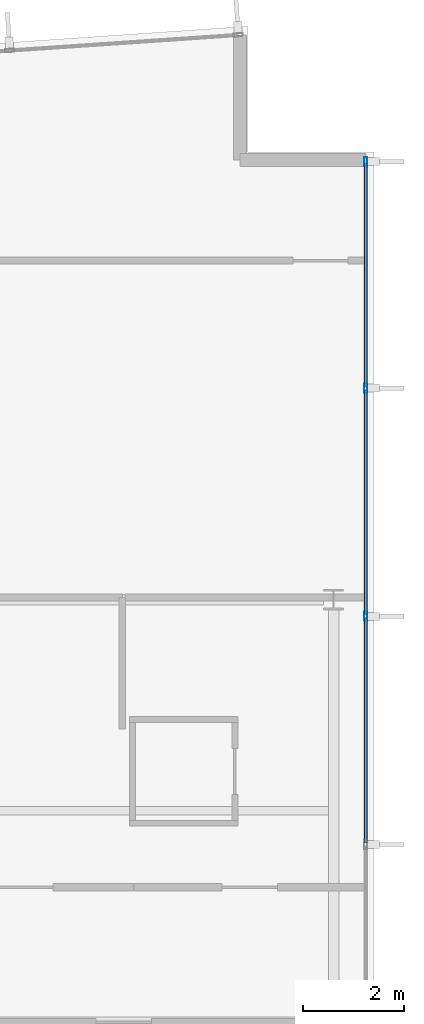
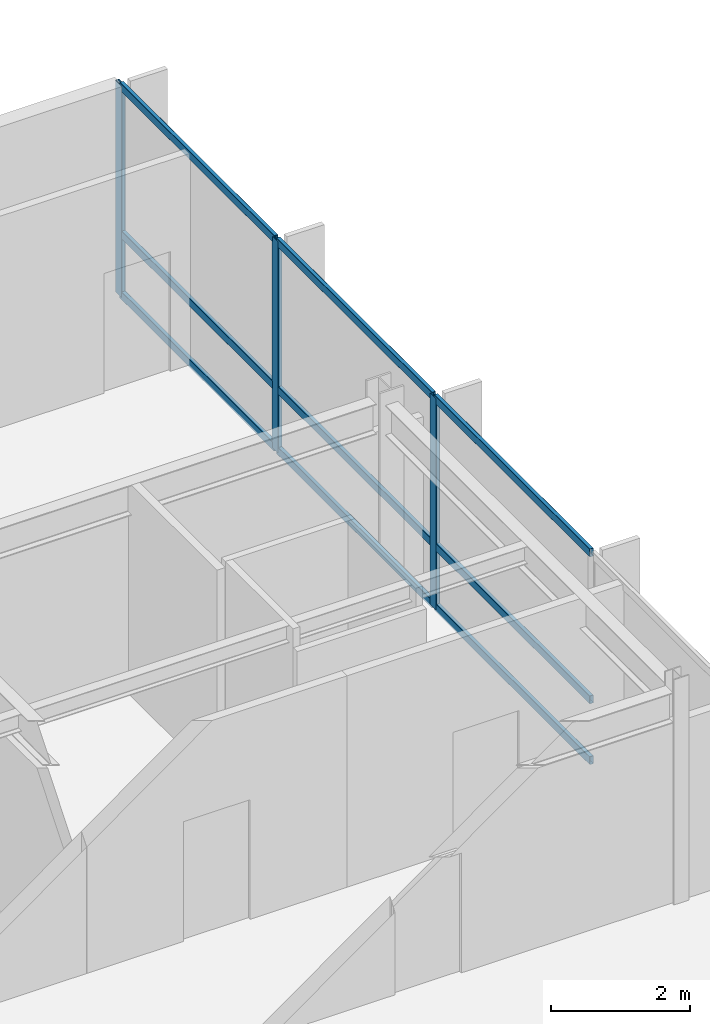
# One storey, part 8 of 17: 12 members, 1 element without a shape of its own.
"""IFC4 building model written with IfcOpenShell, lengths in metres."""

from ifc_helpers import new_model, si_unit, direction, frame, origin, origin_2d, place, context, subcontext, project, spatial, hollow_rectangle, extrude, material, layer, layer_set, material_profile, profile_set, type_object, element, aggregate, save


model = new_model("IFC4")

# Units and contexts
model_context = context("Model", 3, precision=1e-05, world=origin(), true_north=direction((0.0, 1.0)))
body_context = subcontext(model_context, "Body", "Model", "MODEL_VIEW")
ifc_project = project(units=[si_unit("LENGTHUNIT", "METRE"), si_unit("AREAUNIT", "SQUARE_METRE"), si_unit("VOLUMEUNIT", "CUBIC_METRE"), si_unit("PLANEANGLEUNIT", "RADIAN"), si_unit("MASSUNIT", "GRAM", prefix="KILO")], contexts=[model_context])

# Site, building, storey
site_placement = place(None, origin())
site = spatial("IfcSite", under=ifc_project, at=site_placement, CompositionType="ELEMENT")
building_placement = place(site_placement, origin())
building = spatial("IfcBuilding", under=site, at=building_placement, Name="Varnakote Quay Hospital", CompositionType="ELEMENT")
storey_placement = place(building_placement, frame((0.0, 0.0, 184.199951171875)))
storey = spatial("IfcBuildingStorey", under=building, at=storey_placement, Name="L45", CompositionType="ELEMENT", Elevation=184.199951171875)

# Curtain wall, members
ifc_material_1 = material(Name="Anodised aluminium 6063-T6 Bronze", Category="aluminium")
ifc_layer = layer(ifc_material_1, 0.219970703125)
ifc_layer_set = layer_set([ifc_layer], Name="Anodised aluminium 6063-T6 Bronze")
curtain_wall_type = type_object("IfcCurtainWallType", Name="CW-SYS-4", PredefinedType="NOTDEFINED", material=ifc_layer_set)
curtain_wall_placement = place(storey_placement, origin())
curtain_wall = element("IfcCurtainWall", 1, at=curtain_wall_placement, inside=storey, type_object=curtain_wall_type, Name="L45 Unitised Bronze Curtain Wall 1", PredefinedType="NOTDEFINED")
ifc_material_2 = material(Name="Anodised aluminium 6063-T6 Bronze", Category="aluminium")
ifc_material_profile_1 = material_profile(ifc_material_2, hollow_rectangle(XDim=0.06494140625, YDim=0.179931640625, WallThickness=0.00390625, InnerFilletRadius=0.00390625, OuterFilletRadius=0.008056640625, at=origin_2d()), Name="CW-MULL-180x65")
ifc_profile_set_1 = profile_set([ifc_material_profile_1], Name="Anodised aluminium 6063-T6 Bronze")
member_type_1 = type_object("IfcMemberType", Name="CW-MULL-180x65", PredefinedType="MULLION", material=ifc_profile_set_1)
member_1_placement = place(storey_placement, frame((51.0400390625, 20.068115234375, 0.0), z_axis=(0.0, 0.0, 1.0), x_axis=(-1.0, 0.0, 0.0)))
member_1 = element("IfcMember", 2, at=member_1_placement, type_object=member_type_1, Name="-4-L45-1 mullion 4", PredefinedType="MULLION", context=body_context, shape_type="SweptSolid", body=[
    extrude(hollow_rectangle(XDim=0.06494140625, YDim=0.179931640625, WallThickness=0.00390625, InnerFilletRadius=0.00390625, OuterFilletRadius=0.008056640625, at=origin_2d()), origin(), (0.0, 0.0, 1.0), 3.7099609375),
])
member_2_placement = place(storey_placement, frame((51.0400390625, 24.60400390625, 0.0), z_axis=(0.0, 0.0, 1.0), x_axis=(-1.0, 0.0, 0.0)))
member_2 = element("IfcMember", 3, at=member_2_placement, type_object=member_type_1, Name="-4-L45-1 mullion 5", PredefinedType="MULLION", context=body_context, shape_type="SweptSolid", body=[
    extrude(hollow_rectangle(XDim=0.06494140625, YDim=0.179931640625, WallThickness=0.00390625, InnerFilletRadius=0.00390625, OuterFilletRadius=0.008056640625, at=origin_2d()), origin(), (0.0, 0.0, 1.0), 3.7099609375),
])
member_3_placement = place(storey_placement, frame((51.0400390625, 29.107421875, 0.0), z_axis=(0.0, 0.0, 1.0), x_axis=(-1.0, 0.0, 0.0)))
member_3 = element("IfcMember", 4, at=member_3_placement, type_object=member_type_1, Name="-4-L45-1 mullion 6", PredefinedType="MULLION", context=body_context, shape_type="SweptSolid", body=[
    extrude(hollow_rectangle(XDim=0.06494140625, YDim=0.179931640625, WallThickness=0.00390625, InnerFilletRadius=0.00390625, OuterFilletRadius=0.008056640625, at=origin_2d()), origin(), (0.0, 0.0, 1.0), 3.7099609375),
])
ifc_material_3 = material(Name="Anodised aluminium 6063-T6 Bronze", Category="aluminium")
ifc_material_profile_2 = material_profile(ifc_material_3, hollow_rectangle(XDim=0.06494140625, YDim=0.139892578125, WallThickness=0.00390625, InnerFilletRadius=0.00390625, OuterFilletRadius=0.007568359375, at=origin_2d()), Name="CW-TRAN-140x65")
ifc_profile_set_2 = profile_set([ifc_material_profile_2], Name="Anodised aluminium 6063-T6 Bronze")
member_type_2 = type_object("IfcMemberType", Name="CW-TRAN-140x65", PredefinedType="USERDEFINED", material=ifc_profile_set_2)
member_4_placement = place(storey_placement, frame((51.0400390625, 15.564453125, 0.032470703125), z_axis=(0.0, 1.0, 0.0), x_axis=(-1.0, 0.0, 0.0)))
member_4 = element("IfcMember", 5, at=member_4_placement, type_object=member_type_2, Name="-4-L45-1 transom 3.1", ObjectType="TRANSOM", PredefinedType="USERDEFINED", context=body_context, shape_type="SweptSolid", body=[
    extrude(hollow_rectangle(XDim=0.06494140625, YDim=0.139892578125, WallThickness=0.00390625, InnerFilletRadius=0.00390625, OuterFilletRadius=0.007568359375, at=origin_2d()), origin(), (0.0, 0.0, 1.0), 4.470947265625),
])
member_5_placement = place(storey_placement, frame((51.0400390625, 15.564453125, 1.10009765625), z_axis=(0.0, 1.0, 0.0), x_axis=(-1.0, 0.0, 0.0)))
member_5 = element("IfcMember", 6, at=member_5_placement, type_object=member_type_2, Name="-4-L45-1 transom 3.2", ObjectType="TRANSOM", PredefinedType="USERDEFINED", context=body_context, shape_type="SweptSolid", body=[
    extrude(hollow_rectangle(XDim=0.06494140625, YDim=0.139892578125, WallThickness=0.00390625, InnerFilletRadius=0.00390625, OuterFilletRadius=0.007568359375, at=origin_2d()), origin(), (0.0, 0.0, 1.0), 4.470947265625),
])
member_6_placement = place(storey_placement, frame((51.0400390625, 15.564453125, 3.677490234375), z_axis=(0.0, 1.0, 0.0), x_axis=(-1.0, 0.0, 0.0)))
member_6 = element("IfcMember", 7, at=member_6_placement, type_object=member_type_2, Name="-4-L45-1 transom 3.3", ObjectType="TRANSOM", PredefinedType="USERDEFINED", context=body_context, shape_type="SweptSolid", body=[
    extrude(hollow_rectangle(XDim=0.06494140625, YDim=0.139892578125, WallThickness=0.00390625, InnerFilletRadius=0.00390625, OuterFilletRadius=0.007568359375, at=origin_2d()), origin(), (0.0, 0.0, 1.0), 4.470947265625),
])
member_7_placement = place(storey_placement, frame((51.0400390625, 20.1005859375, 0.032470703125), z_axis=(0.0, 1.0, 0.0), x_axis=(-1.0, 0.0, 0.0)))
member_7 = element("IfcMember", 8, at=member_7_placement, type_object=member_type_2, Name="-4-L45-1 transom 4.1", ObjectType="TRANSOM", PredefinedType="USERDEFINED", context=body_context, shape_type="SweptSolid", body=[
    extrude(hollow_rectangle(XDim=0.06494140625, YDim=0.139892578125, WallThickness=0.00390625, InnerFilletRadius=0.00390625, OuterFilletRadius=0.007568359375, at=origin_2d()), origin(), (0.0, 0.0, 1.0), 4.470947265625),
])
member_8_placement = place(storey_placement, frame((51.0400390625, 20.1005859375, 1.10009765625), z_axis=(0.0, 1.0, 0.0), x_axis=(-1.0, 0.0, 0.0)))
member_8 = element("IfcMember", 9, at=member_8_placement, type_object=member_type_2, Name="-4-L45-1 transom 4.2", ObjectType="TRANSOM", PredefinedType="USERDEFINED", context=body_context, shape_type="SweptSolid", body=[
    extrude(hollow_rectangle(XDim=0.06494140625, YDim=0.139892578125, WallThickness=0.00390625, InnerFilletRadius=0.00390625, OuterFilletRadius=0.007568359375, at=origin_2d()), origin(), (0.0, 0.0, 1.0), 4.470947265625),
])
member_9_placement = place(storey_placement, frame((51.0400390625, 20.1005859375, 3.677490234375), z_axis=(0.0, 1.0, 0.0), x_axis=(-1.0, 0.0, 0.0)))
member_9 = element("IfcMember", 10, at=member_9_placement, type_object=member_type_2, Name="-4-L45-1 transom 4.3", ObjectType="TRANSOM", PredefinedType="USERDEFINED", context=body_context, shape_type="SweptSolid", body=[
    extrude(hollow_rectangle(XDim=0.06494140625, YDim=0.139892578125, WallThickness=0.00390625, InnerFilletRadius=0.00390625, OuterFilletRadius=0.007568359375, at=origin_2d()), origin(), (0.0, 0.0, 1.0), 4.470947265625),
])
member_10_placement = place(storey_placement, frame((51.0400390625, 24.636474609375, 0.032470703125), z_axis=(0.0, 1.0, 0.0), x_axis=(-1.0, 0.0, 0.0)))
member_10 = element("IfcMember", 11, at=member_10_placement, type_object=member_type_2, Name="-4-L45-1 transom 5.1", ObjectType="TRANSOM", PredefinedType="USERDEFINED", context=body_context, shape_type="SweptSolid", body=[
    extrude(hollow_rectangle(XDim=0.06494140625, YDim=0.139892578125, WallThickness=0.00390625, InnerFilletRadius=0.00390625, OuterFilletRadius=0.007568359375, at=origin_2d()), origin(), (0.0, 0.0, 1.0), 4.4384765625),
])
member_11_placement = place(storey_placement, frame((51.0400390625, 24.636474609375, 1.10009765625), z_axis=(0.0, 1.0, 0.0), x_axis=(-1.0, 0.0, 0.0)))
member_11 = element("IfcMember", 12, at=member_11_placement, type_object=member_type_2, Name="-4-L45-1 transom 5.2", ObjectType="TRANSOM", PredefinedType="USERDEFINED", context=body_context, shape_type="SweptSolid", body=[
    extrude(hollow_rectangle(XDim=0.06494140625, YDim=0.139892578125, WallThickness=0.00390625, InnerFilletRadius=0.00390625, OuterFilletRadius=0.007568359375, at=origin_2d()), origin(), (0.0, 0.0, 1.0), 4.4384765625),
])
member_12_placement = place(storey_placement, frame((51.0400390625, 24.636474609375, 3.677490234375), z_axis=(0.0, 1.0, 0.0), x_axis=(-1.0, 0.0, 0.0)))
member_12 = element("IfcMember", 13, at=member_12_placement, type_object=member_type_2, Name="-4-L45-1 transom 5.3", ObjectType="TRANSOM", PredefinedType="USERDEFINED", context=body_context, shape_type="SweptSolid", body=[
    extrude(hollow_rectangle(XDim=0.06494140625, YDim=0.139892578125, WallThickness=0.00390625, InnerFilletRadius=0.00390625, OuterFilletRadius=0.007568359375, at=origin_2d()), origin(), (0.0, 0.0, 1.0), 4.4384765625),
])
aggregate(curtain_wall, [member_1, member_2, member_3, member_4, member_5, member_6, member_7, member_8, member_9, member_10, member_11, member_12])

save(model, "model.ifc")
